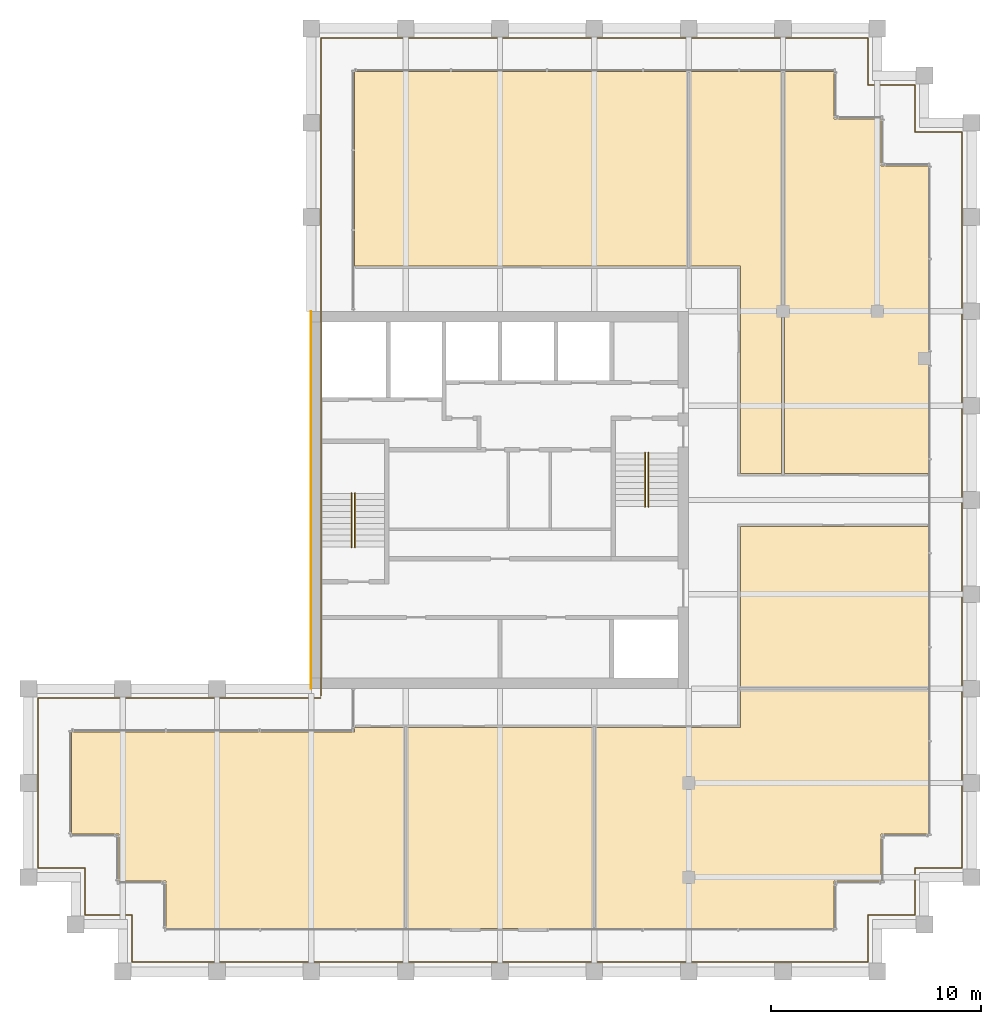
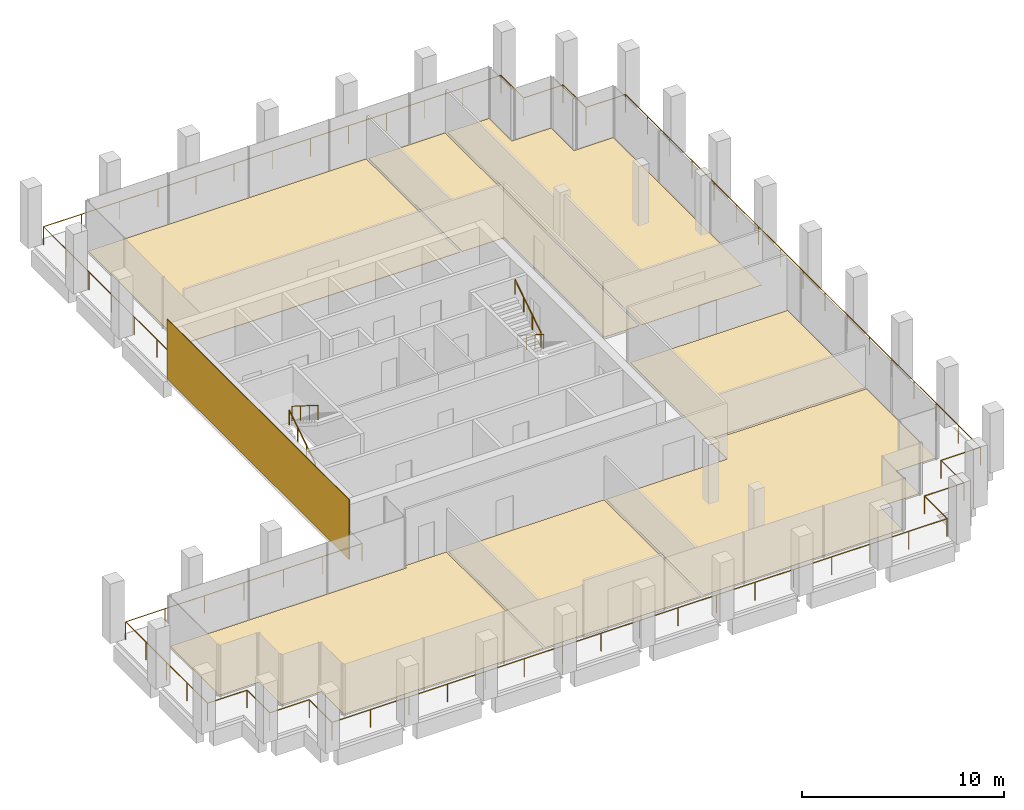
# One storey, part 30 of 30: 8 coverings, 5 railings.
"""IFC4 building model written with IfcOpenShell, lengths in metres."""

from ifc_helpers import new_model, si_unit, direction, frame, origin, origin_2d, place, context, subcontext, project, spatial, polyline, rectangle, circle, outline, extrude, source, transform, mapped, material, layer, layer_set, type_object, element, save


model = new_model("IFC4")

# Units and contexts
model_context = context("Model", 3, precision=1e-05, world=origin(), true_north=direction((0.0, 1.0)))
body_context = subcontext(model_context, "Body", "Model", "MODEL_VIEW")
ifc_project = project(units=[si_unit("LENGTHUNIT", "METRE"), si_unit("AREAUNIT", "SQUARE_METRE"), si_unit("VOLUMEUNIT", "CUBIC_METRE"), si_unit("PLANEANGLEUNIT", "RADIAN"), si_unit("MASSUNIT", "GRAM", prefix="KILO")], contexts=[model_context])

# Site, building, storey
site_placement = place(None, origin())
site = spatial("IfcSite", under=ifc_project, at=site_placement, CompositionType="ELEMENT")
building_placement = place(site_placement, origin())
building = spatial("IfcBuilding", under=site, at=building_placement, Name="Altepetl Exchange Towers", CompositionType="ELEMENT")
storey_placement = place(building_placement, frame((0.0, 0.0, 242.39990234375)))
storey = spatial("IfcBuildingStorey", under=building, at=storey_placement, Name="L62", CompositionType="ELEMENT", Elevation=242.39990234375)

# Coverings
ifc_material_1 = material(Name="Carpet tile")
ifc_layer_1 = layer(ifc_material_1, 0.02001953125)
ifc_layer_set_1 = layer_set([ifc_layer_1], Name="Carpet tile")
covering_type_1 = type_object("IfcCoveringType", Name="Carpet tile floor", PredefinedType="FLOORING", material=ifc_layer_set_1)
covering_1_placement = place(storey_placement, origin())
element("IfcCovering", 1, at=covering_1_placement, inside=storey, type_object=covering_type_1, Name="Fund office floor finish A62.01", PredefinedType="FLOORING", context=body_context, shape_type="SweptSolid", body=[
    extrude(outline(polyline([(33.5625, 29.0625), (44.9375, 29.0625), (44.9375, 38.637451171875), (42.5625, 38.637451171875), (42.5625, 38.4375), (29.0625, 38.4375), (29.0625, 33.5625), (31.3125, 33.5625), (31.3125, 31.3125), (33.5625, 31.3125), (33.5625, 29.0625)])), origin(), (0.0, 0.0, 1.0), 0.02001953125),
])
covering_2_placement = place(storey_placement, origin())
element("IfcCovering", 2, at=covering_2_placement, inside=storey, type_object=covering_type_1, Name="Family office floor finish A62.02", PredefinedType="FLOORING", context=body_context, shape_type="SweptSolid", body=[
    extrude(outline(polyline([(45.0625, 38.637451171875), (45.0625, 29.0625), (53.9375, 29.0625), (53.9375, 38.637451171875), (45.0625, 38.637451171875)])), origin(), (0.0, 0.0, 1.0), 0.02001953125),
])
covering_3_placement = place(storey_placement, origin())
element("IfcCovering", 3, at=covering_3_placement, inside=storey, type_object=covering_type_1, Name="Family office floor finish A62.03", PredefinedType="FLOORING", context=body_context, shape_type="SweptSolid", body=[
    extrude(outline(polyline([(54.0625, 29.0625), (65.4375, 29.0625), (65.4375, 31.3125), (67.6875, 31.3125), (67.6875, 33.5625), (69.9375, 33.5625), (69.9375, 40.4375), (60.96240234375, 40.4375), (60.96240234375, 38.637451171875), (54.0625, 38.637451171875), (54.0625, 29.0625)])), origin(), (0.0, 0.0, 1.0), 0.02001953125),
])
covering_4_placement = place(storey_placement, origin())
element("IfcCovering", 4, at=covering_4_placement, inside=storey, type_object=covering_type_1, Name="Meeting room floor finish A62.04", PredefinedType="FLOORING", context=body_context, shape_type="SweptSolid", body=[
    extrude(outline(polyline([(60.96240234375, 40.5625), (69.9375, 40.5625), (69.9375, 48.237548828125), (60.96240234375, 48.237548828125), (60.96240234375, 40.5625)])), origin(), (0.0, 0.0, 1.0), 0.02001953125),
])
covering_5_placement = place(storey_placement, origin())
element("IfcCovering", 5, at=covering_5_placement, inside=storey, type_object=covering_type_1, Name="Wealth office floor finish A62.05", PredefinedType="FLOORING", context=body_context, shape_type="SweptSolid", body=[
    extrude(outline(polyline([(65.4375, 67.6875), (65.4375, 69.9375), (63.0625, 69.9375), (63.0625, 50.762451171875), (69.9375, 50.762451171875), (69.9375, 65.4375), (67.6875, 65.4375), (67.6875, 67.6875), (65.4375, 67.6875)])), origin(), (0.0, 0.0, 1.0), 0.02001953125),
])
covering_6_placement = place(storey_placement, origin())
element("IfcCovering", 6, at=covering_6_placement, inside=storey, type_object=covering_type_1, Name="Interview room floor finish A62.06", PredefinedType="FLOORING", context=body_context, shape_type="SweptSolid", body=[
    extrude(outline(polyline([(62.9375, 50.762451171875), (62.9375, 69.9375), (58.5625, 69.9375), (58.5625, 60.66259765625), (60.96240234375, 60.66259765625), (60.96240234375, 50.762451171875), (62.9375, 50.762451171875)])), origin(), (0.0, 0.0, 1.0), 0.02001953125),
])
ifc_material_2 = material(Name="Cantera stone", Category="masonry")
ifc_layer_2 = layer(ifc_material_2, 0.030029296875)
ifc_layer_set_2 = layer_set([ifc_layer_2], Name="Cantera stone")
covering_type_2 = type_object("IfcCoveringType", Name="Polished stone floor", PredefinedType="FLOORING", material=ifc_layer_set_2)
covering_7_placement = place(storey_placement, origin())
element("IfcCovering", 7, at=covering_7_placement, inside=storey, type_object=covering_type_2, Name="Library floor finish A62.07", PredefinedType="FLOORING", context=body_context, shape_type="SweptSolid", body=[
    extrude(outline(polyline([(58.4375, 60.66259765625), (58.4375, 69.9375), (42.5625, 69.9375), (42.5625, 60.66259765625), (58.4375, 60.66259765625)])), origin(), (0.0, 0.0, 1.0), 0.030029296875),
])
ifc_material_3 = material(Name="Cantera limestone cladding", Category="masonry")
ifc_layer_3 = layer(ifc_material_3, 0.0400390625)
ifc_layer_set_3 = layer_set([ifc_layer_3], Name="Cantera limestone cladding")
covering_type_3 = type_object("IfcCoveringType", Name="Stone panel 40 cantera", PredefinedType="CLADDING", material=ifc_layer_set_3)
covering_8_placement = place(storey_placement, frame((40.47998046875, 49.5, 0.0), z_axis=(0.0, 0.0, 1.0), x_axis=(0.0, -1.0, 0.0)))
element("IfcCovering", 8, at=covering_8_placement, inside=storey, type_object=covering_type_3, Name="Stone cladding panel", PredefinedType="CLADDING", context=body_context, shape_type="SweptSolid", body=[
    extrude(rectangle(XDim=18.0, YDim=0.0400390625, at=origin_2d()), origin(), (0.0, 0.0, 1.0), 3.60009765625),
])

# Railings
ifc_material_4 = material(Name="Steel S355", Category="steel")
railing_type_1 = type_object("IfcRailingType", Name="Guard 1100 steel posts and rail", PredefinedType="GUARDRAIL", material=ifc_material_4)
shared_shape_1 = source(origin(), body_context, "Body", "SweptSolid", [
    extrude(circle(Radius=0.02099609375, at=origin_2d()), origin(), (0.0, 0.0, 1.0), 1.052001953125),
])
railing_1_placement = place(storey_placement, frame((40.949951171875, 40.050048828125, 0.0)))
element("IfcRailing", 9, at=railing_1_placement, inside=storey, type_object=railing_type_1, Name="Loggia guard", PredefinedType="GUARDRAIL", context=body_context, shape_type="SweptSolid", body=[
    extrude(circle(Radius=0.02392578125, at=origin_2d()), frame((0.0, 0.0, 1.076171875), z_axis=(-1.0, 0.0, 0.0), x_axis=(0.0, -1.0, 0.0)), (0.0, 0.0, 1.0), 13.5),
    extrude(circle(Radius=0.02392578125, at=origin_2d()), frame((-13.5, 0.0, 1.076171875), z_axis=(0.0, -1.0, 0.0), x_axis=(1.0, 0.0, 0.0)), (0.0, 0.0, 1.0), 8.10009765625),
    extrude(circle(Radius=0.02392578125, at=origin_2d()), frame((-13.5, -8.10009765625, 1.076171875), z_axis=(1.0, 0.0, 0.0), x_axis=(0.0, 1.0, 0.0)), (0.0, 0.0, 1.0), 2.25),
    extrude(circle(Radius=0.02392578125, at=origin_2d()), frame((-11.25, -8.10009765625, 1.076171875), z_axis=(0.0, -1.0, 0.0), x_axis=(1.0, 0.0, 0.0)), (0.0, 0.0, 1.0), 2.25),
    extrude(circle(Radius=0.02392578125, at=origin_2d()), frame((-11.25, -10.35009765625, 1.076171875), z_axis=(1.0, 0.0, 0.0), x_axis=(0.0, 1.0, 0.0)), (0.0, 0.0, 1.0), 2.25),
    extrude(circle(Radius=0.02392578125, at=origin_2d()), frame((-9.0, -10.35009765625, 1.076171875), z_axis=(0.0, -1.0, 0.0), x_axis=(1.0, 0.0, 0.0)), (0.0, 0.0, 1.0), 2.25),
    extrude(circle(Radius=0.02392578125, at=origin_2d()), frame((-9.0, -12.60009765625, 1.076171875), z_axis=(1.0, 0.0, 0.0), x_axis=(0.0, 1.0, 0.0)), (0.0, 0.0, 1.0), 35.10009765625),
    extrude(circle(Radius=0.02392578125, at=origin_2d()), frame((26.10009765625, -12.60009765625, 1.076171875), z_axis=(0.0, 1.0, 0.0), x_axis=(-1.0, 0.0, 0.0)), (0.0, 0.0, 1.0), 2.25),
    extrude(circle(Radius=0.02392578125, at=origin_2d()), frame((26.10009765625, -10.35009765625, 1.076171875), z_axis=(1.0, 0.0, 0.0), x_axis=(0.0, 1.0, 0.0)), (0.0, 0.0, 1.0), 2.25),
    extrude(circle(Radius=0.02392578125, at=origin_2d()), frame((28.35009765625, -10.35009765625, 1.076171875), z_axis=(0.0, 1.0, 0.0), x_axis=(-1.0, 0.0, 0.0)), (0.0, 0.0, 1.0), 2.25),
    extrude(circle(Radius=0.02392578125, at=origin_2d()), frame((28.35009765625, -8.10009765625, 1.076171875), z_axis=(1.0, 0.0, 0.0), x_axis=(0.0, 1.0, 0.0)), (0.0, 0.0, 1.0), 2.25),
    extrude(circle(Radius=0.02392578125, at=origin_2d()), frame((30.60009765625, -8.10009765625, 1.076171875), z_axis=(0.0, 1.0, 0.0), x_axis=(-1.0, 0.0, 0.0)), (0.0, 0.0, 1.0), 35.10009765625),
    extrude(circle(Radius=0.02392578125, at=origin_2d()), frame((30.60009765625, 27.0, 1.076171875), z_axis=(-1.0, 0.0, 0.0), x_axis=(0.0, -1.0, 0.0)), (0.0, 0.0, 1.0), 2.25),
    extrude(circle(Radius=0.02392578125, at=origin_2d()), frame((28.35009765625, 27.0, 1.076171875), z_axis=(0.0, 1.0, 0.0), x_axis=(-1.0, 0.0, 0.0)), (0.0, 0.0, 1.0), 2.25),
    extrude(circle(Radius=0.02392578125, at=origin_2d()), frame((28.35009765625, 29.25, 1.076171875), z_axis=(-1.0, 0.0, 0.0), x_axis=(0.0, -1.0, 0.0)), (0.0, 0.0, 1.0), 2.25),
    extrude(circle(Radius=0.02392578125, at=origin_2d()), frame((26.10009765625, 29.25, 1.076171875), z_axis=(0.0, 1.0, 0.0), x_axis=(-1.0, 0.0, 0.0)), (0.0, 0.0, 1.0), 2.25),
    extrude(circle(Radius=0.02392578125, at=origin_2d()), frame((26.10009765625, 31.5, 1.076171875), z_axis=(-1.0, 0.0, 0.0), x_axis=(0.0, -1.0, 0.0)), (0.0, 0.0, 1.0), 26.10009765625),
    extrude(circle(Radius=0.02392578125, at=origin_2d()), frame((0.0, 31.5, 1.076171875), z_axis=(0.0, -1.0, 0.0), x_axis=(1.0, 0.0, 0.0)), (0.0, 0.0, 1.0), 31.400146484375),
    mapped(shared_shape_1, transform((0.0, 0.0, 0.0))),
    mapped(shared_shape_1, transform((-2.25, 0.0, 0.0))),
    mapped(shared_shape_1, transform((-4.5, 0.0, 0.0))),
    mapped(shared_shape_1, transform((-6.75, 0.0, 0.0))),
    mapped(shared_shape_1, transform((-9.0, 0.0, 0.0))),
    mapped(shared_shape_1, transform((-11.25, 0.0, 0.0))),
    mapped(shared_shape_1, transform((-13.5, 0.0, 0.0))),
    mapped(shared_shape_1, transform((-13.5, -2.02490234375, 0.0))),
    mapped(shared_shape_1, transform((-13.5, -4.050048828125, 0.0))),
    mapped(shared_shape_1, transform((-13.5, -6.0751953125, 0.0))),
    mapped(shared_shape_1, transform((-13.5, -8.10009765625, 0.0))),
    mapped(shared_shape_1, transform((-11.25, -8.10009765625, 0.0))),
    mapped(shared_shape_1, transform((-11.25, -10.35009765625, 0.0))),
    mapped(shared_shape_1, transform((-9.0, -10.35009765625, 0.0))),
    mapped(shared_shape_1, transform((-9.0, -12.60009765625, 0.0))),
    mapped(shared_shape_1, transform((-6.80615234375, -12.60009765625, 0.0))),
    mapped(shared_shape_1, transform((-4.612548828125, -12.60009765625, 0.0))),
    mapped(shared_shape_1, transform((-2.418701171875, -12.60009765625, 0.0))),
    mapped(shared_shape_1, transform((-0.22509765625, -12.60009765625, 0.0))),
    mapped(shared_shape_1, transform((1.96875, -12.60009765625, 0.0))),
    mapped(shared_shape_1, transform((4.16259765625, -12.60009765625, 0.0))),
    mapped(shared_shape_1, transform((6.356201171875, -12.60009765625, 0.0))),
    mapped(shared_shape_1, transform((8.550048828125, -12.60009765625, 0.0))),
    mapped(shared_shape_1, transform((10.743896484375, -12.60009765625, 0.0))),
    mapped(shared_shape_1, transform((12.9375, -12.60009765625, 0.0))),
    mapped(shared_shape_1, transform((15.13134765625, -12.60009765625, 0.0))),
    mapped(shared_shape_1, transform((17.3251953125, -12.60009765625, 0.0))),
    mapped(shared_shape_1, transform((19.518798828125, -12.60009765625, 0.0))),
    mapped(shared_shape_1, transform((21.712646484375, -12.60009765625, 0.0))),
    mapped(shared_shape_1, transform((23.90625, -12.60009765625, 0.0))),
    mapped(shared_shape_1, transform((26.10009765625, -12.60009765625, 0.0))),
    mapped(shared_shape_1, transform((26.10009765625, -10.35009765625, 0.0))),
    mapped(shared_shape_1, transform((28.35009765625, -10.35009765625, 0.0))),
    mapped(shared_shape_1, transform((28.35009765625, -8.10009765625, 0.0))),
    mapped(shared_shape_1, transform((30.60009765625, -8.10009765625, 0.0))),
    mapped(shared_shape_1, transform((30.60009765625, -5.90625, 0.0))),
    mapped(shared_shape_1, transform((30.60009765625, -3.712646484375, 0.0))),
    mapped(shared_shape_1, transform((30.60009765625, -1.518798828125, 0.0))),
    mapped(shared_shape_1, transform((30.60009765625, 0.6748046875, 0.0))),
    mapped(shared_shape_1, transform((30.60009765625, 2.86865234375, 0.0))),
    mapped(shared_shape_1, transform((30.60009765625, 5.0625, 0.0))),
    mapped(shared_shape_1, transform((30.60009765625, 7.256103515625, 0.0))),
    mapped(shared_shape_1, transform((30.60009765625, 9.449951171875, 0.0))),
    mapped(shared_shape_1, transform((30.60009765625, 11.643798828125, 0.0))),
    mapped(shared_shape_1, transform((30.60009765625, 13.83740234375, 0.0))),
    mapped(shared_shape_1, transform((30.60009765625, 16.03125, 0.0))),
    mapped(shared_shape_1, transform((30.60009765625, 18.22509765625, 0.0))),
    mapped(shared_shape_1, transform((30.60009765625, 20.418701171875, 0.0))),
    mapped(shared_shape_1, transform((30.60009765625, 22.612548828125, 0.0))),
    mapped(shared_shape_1, transform((30.60009765625, 24.80615234375, 0.0))),
    mapped(shared_shape_1, transform((30.60009765625, 27.0, 0.0))),
    mapped(shared_shape_1, transform((28.35009765625, 27.0, 0.0))),
    mapped(shared_shape_1, transform((28.35009765625, 29.25, 0.0))),
    mapped(shared_shape_1, transform((26.10009765625, 29.25, 0.0))),
    mapped(shared_shape_1, transform((26.10009765625, 31.5, 0.0))),
    mapped(shared_shape_1, transform((23.925048828125, 31.5, 0.0))),
    mapped(shared_shape_1, transform((21.75, 31.5, 0.0))),
    mapped(shared_shape_1, transform((19.5751953125, 31.5, 0.0))),
    mapped(shared_shape_1, transform((17.400146484375, 31.5, 0.0))),
    mapped(shared_shape_1, transform((15.22509765625, 31.5, 0.0))),
    mapped(shared_shape_1, transform((13.050048828125, 31.5, 0.0))),
    mapped(shared_shape_1, transform((10.875, 31.5, 0.0))),
    mapped(shared_shape_1, transform((8.699951171875, 31.5, 0.0))),
    mapped(shared_shape_1, transform((6.52490234375, 31.5, 0.0))),
    mapped(shared_shape_1, transform((4.35009765625, 31.5, 0.0))),
    mapped(shared_shape_1, transform((2.175048828125, 31.5, 0.0))),
    mapped(shared_shape_1, transform((0.0, 31.5, 0.0))),
    mapped(shared_shape_1, transform((0.0, 29.257080078125, 0.0))),
    mapped(shared_shape_1, transform((0.0, 27.01416015625, 0.0))),
    mapped(shared_shape_1, transform((0.0, 24.771484375, 0.0))),
    mapped(shared_shape_1, transform((0.0, 22.528564453125, 0.0))),
    mapped(shared_shape_1, transform((0.0, 20.28564453125, 0.0))),
    mapped(shared_shape_1, transform((0.0, 18.042724609375, 0.0))),
    mapped(shared_shape_1, transform((0.0, 15.7998046875, 0.0))),
    mapped(shared_shape_1, transform((0.0, 13.55712890625, 0.0))),
    mapped(shared_shape_1, transform((0.0, 11.314208984375, 0.0))),
    mapped(shared_shape_1, transform((0.0, 9.0712890625, 0.0))),
    mapped(shared_shape_1, transform((0.0, 6.828369140625, 0.0))),
    mapped(shared_shape_1, transform((0.0, 4.585693359375, 0.0))),
    mapped(shared_shape_1, transform((0.0, 2.3427734375, 0.0))),
    mapped(shared_shape_1, transform((0.0, 0.099853515625, 0.0))),
])
ifc_material_5 = material(Name="Steel", Category="steel")
railing_type_2 = type_object("IfcRailingType", Name="Stair handrail 50 steel tube", PredefinedType="HANDRAIL", material=ifc_material_5)
shared_shape_2 = source(origin(), body_context, "Body", "SweptSolid", [
    extrude(circle(Radius=0.02099609375, at=origin_2d()), origin(), (0.0, 0.0, 1.0), 0.851806640625),
])
railing_2_placement = place(storey_placement, frame((42.419921875, 47.25, 0.18017578125)))
element("IfcRailing", 10, at=railing_2_placement, inside=storey, type_object=railing_type_2, Name="Stair handrail", PredefinedType="HANDRAIL", context=body_context, shape_type="SweptSolid", body=[
    extrude(circle(Radius=0.02392578125, at=origin_2d()), frame((0.0, 0.0, 0.8759765625), z_axis=(0.0, 0.845502289212, 0.533971796014), x_axis=(-1.0, 0.0, 0.0)), (0.0, 0.0, 1.0), 3.03369140625),
    mapped(shared_shape_2, transform((0.0, 0.0, 0.0))),
    mapped(shared_shape_2, transform((0.0, 0.85498046875, 0.5400390625))),
    mapped(shared_shape_2, transform((0.0, 1.7099609375, 1.079833984375))),
    mapped(shared_shape_2, transform((0.0, 2.56494140625, 1.619873046875))),
])
railing_3_placement = place(storey_placement, frame((42.580078125, 49.81494140625, 1.97998046875)))
element("IfcRailing", 11, at=railing_3_placement, inside=storey, type_object=railing_type_2, Name="Stair handrail", PredefinedType="HANDRAIL", context=body_context, shape_type="SweptSolid", body=[
    extrude(circle(Radius=0.02392578125, at=origin_2d()), frame((0.0, 0.0, 0.8759765625), z_axis=(0.0, -0.845465955043, 0.534029323973), x_axis=(1.0, 0.0, 0.0)), (0.0, 0.0, 1.0), 3.03369140625),
    mapped(shared_shape_2, transform((0.0, 0.0, 0.0))),
    mapped(shared_shape_2, transform((0.0, -0.85498046875, 0.5400390625))),
    mapped(shared_shape_2, transform((0.0, -1.7099609375, 1.080078125))),
    mapped(shared_shape_2, transform((0.0, -2.56494140625, 1.6201171875))),
])
railing_4_placement = place(storey_placement, frame((56.580078125, 51.75, 0.18017578125)))
element("IfcRailing", 12, at=railing_4_placement, inside=storey, type_object=railing_type_2, Name="Stair handrail", PredefinedType="HANDRAIL", context=body_context, shape_type="SweptSolid", body=[
    extrude(circle(Radius=0.02392578125, at=origin_2d()), frame((0.0, 0.0, 0.8759765625), z_axis=(0.0, -0.845502289212, 0.533971796014), x_axis=(1.0, 0.0, 0.0)), (0.0, 0.0, 1.0), 3.03369140625),
    mapped(shared_shape_2, transform((0.0, 0.0, 0.0))),
    mapped(shared_shape_2, transform((0.0, -0.85498046875, 0.5400390625))),
    mapped(shared_shape_2, transform((0.0, -1.7099609375, 1.079833984375))),
    mapped(shared_shape_2, transform((0.0, -2.56494140625, 1.619873046875))),
])
railing_5_placement = place(storey_placement, frame((56.419921875, 49.18505859375, 1.97998046875)))
element("IfcRailing", 13, at=railing_5_placement, inside=storey, type_object=railing_type_2, Name="Stair handrail", PredefinedType="HANDRAIL", context=body_context, shape_type="SweptSolid", body=[
    extrude(circle(Radius=0.02392578125, at=origin_2d()), frame((0.0, 0.0, 0.8759765625), z_axis=(0.0, 0.845465955043, 0.534029323973), x_axis=(-1.0, 0.0, 0.0)), (0.0, 0.0, 1.0), 3.03369140625),
    mapped(shared_shape_2, transform((0.0, 0.0, 0.0))),
    mapped(shared_shape_2, transform((0.0, 0.85498046875, 0.5400390625))),
    mapped(shared_shape_2, transform((0.0, 1.7099609375, 1.080078125))),
    mapped(shared_shape_2, transform((0.0, 2.56494140625, 1.6201171875))),
])

save(model, "model.ifc")
